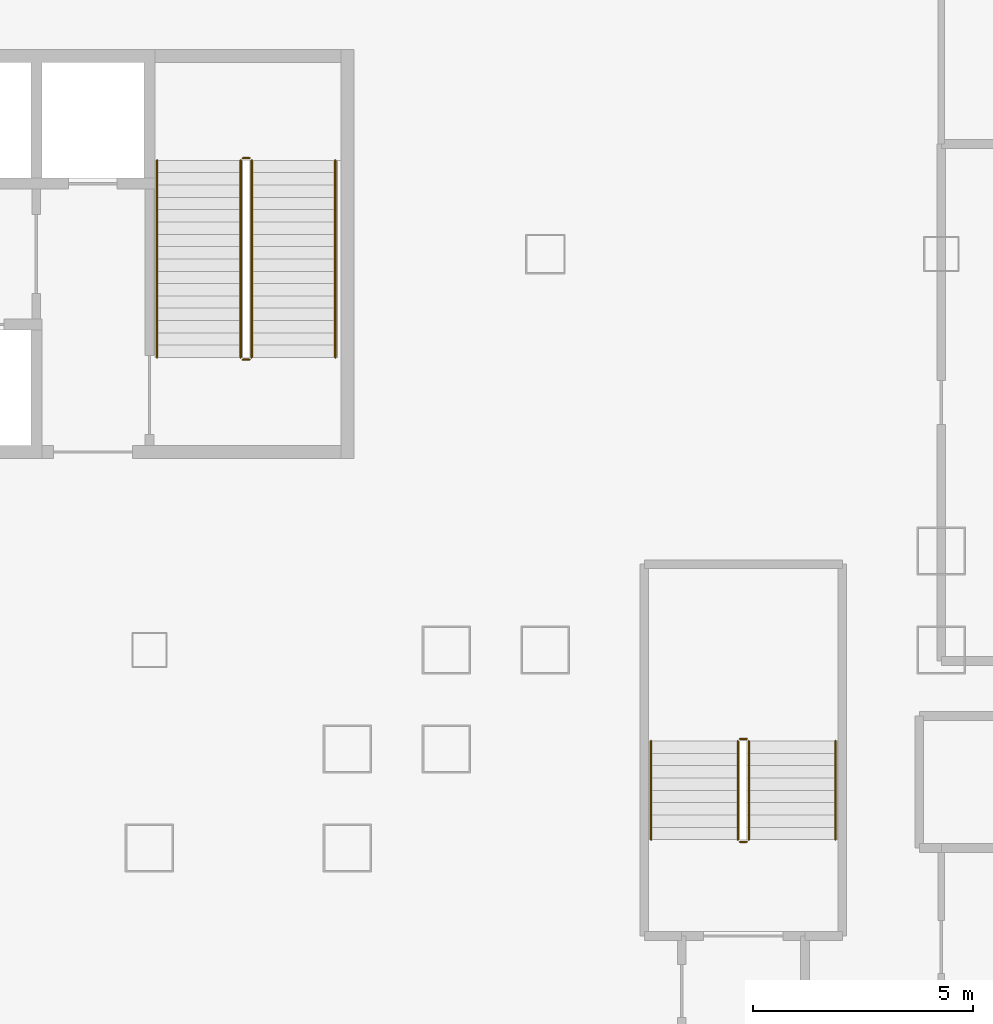
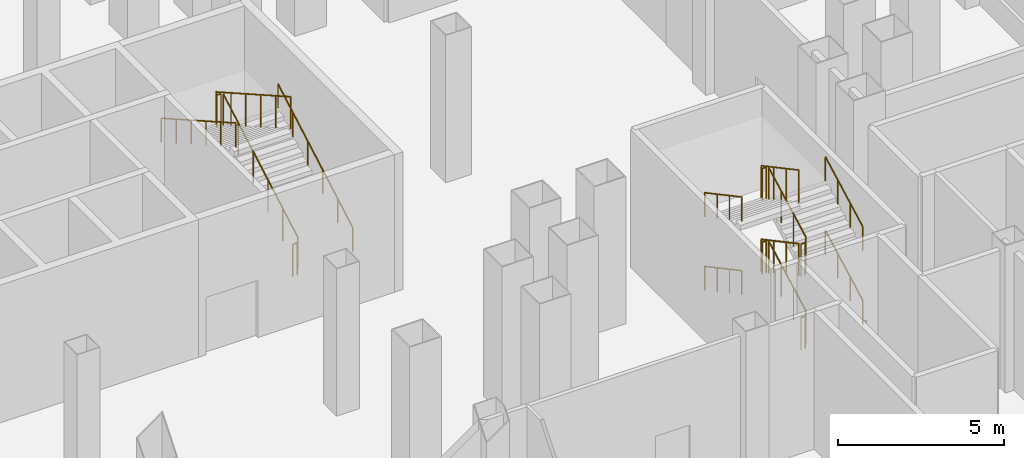
# One storey, part 23 of 26: 18 railings.
"""IFC4 building model written with IfcOpenShell, lengths in metres."""

from ifc_helpers import new_model, si_unit, direction, frame, origin, origin_2d, place, context, subcontext, project, spatial, circle, extrude, material, type_object, element, save


model = new_model("IFC4")

# Units and contexts
model_context = context("Model", 3, precision=1e-05, world=origin(), true_north=direction((0.0, 1.0)))
body_context = subcontext(model_context, "Body", "Model", "MODEL_VIEW")
ifc_project = project(units=[si_unit("LENGTHUNIT", "METRE"), si_unit("AREAUNIT", "SQUARE_METRE"), si_unit("VOLUMEUNIT", "CUBIC_METRE"), si_unit("PLANEANGLEUNIT", "RADIAN"), si_unit("MASSUNIT", "GRAM", prefix="KILO")], contexts=[model_context])

# Site, building, storey
site_placement = place(None, origin())
site = spatial("IfcSite", under=ifc_project, at=site_placement, CompositionType="ELEMENT")
building_placement = place(site_placement, origin())
building = spatial("IfcBuilding", under=site, at=building_placement, Name="Caravel Reach Hotel and Residences", CompositionType="ELEMENT")
storey_placement = place(building_placement, frame((0.0, 0.0, 12.0)))
storey = spatial("IfcBuildingStorey", under=building, at=storey_placement, Name="L02", CompositionType="ELEMENT", Elevation=12.0)

# Railings
ifc_material_1 = material(Name="Steel balustrade with glass infill", Category="steel")
railing_type_1 = type_object("IfcRailingType", Name="Guard 1200", PredefinedType="GUARDRAIL", material=ifc_material_1)
railing_1_placement = place(storey_placement, frame((42.824951171875, 24.64990234375, 0.158935546875)))
element("IfcRailing", 1, at=railing_1_placement, inside=storey, type_object=railing_type_1, Name="L02 ST-B stair guard 1", PredefinedType="GUARDRAIL", context=body_context, shape_type="SweptSolid", body=[
    extrude(circle(Radius=0.02392578125, at=origin_2d()), frame((0.0, 0.0, 1.17578125), z_axis=(0.0, 0.869825572089, 0.493359376256), x_axis=(-1.0, 0.0, 0.0)), (0.0, 0.0, 1.0), 5.150390625),
    extrude(circle(Radius=0.02099609375, at=origin_2d()), origin(), (0.0, 0.0, 1.0), 1.15185546875),
    extrude(circle(Radius=0.02099609375, at=origin_2d()), frame((0.0, 0.89599609375, 0.50830078125)), (0.0, 0.0, 1.0), 1.15185546875),
    extrude(circle(Radius=0.02099609375, at=origin_2d()), frame((0.0, 1.7919921875, 1.016357421875)), (0.0, 0.0, 1.0), 1.15185546875),
    extrude(circle(Radius=0.02099609375, at=origin_2d()), frame((0.0, 2.68798828125, 1.524658203125)), (0.0, 0.0, 1.0), 1.15185546875),
    extrude(circle(Radius=0.02099609375, at=origin_2d()), frame((0.0, 3.583984375, 2.03271484375)), (0.0, 0.0, 1.0), 1.15185546875),
    extrude(circle(Radius=0.02099609375, at=origin_2d()), frame((0.0, 4.47998046875, 2.541015625)), (0.0, 0.0, 1.0), 1.15185546875),
])
railing_2_placement = place(storey_placement, frame((42.77490234375, 29.179931640625, 2.699951171875)))
element("IfcRailing", 2, at=railing_2_placement, inside=storey, type_object=railing_type_1, Name="L02 ST-B stair guard 2", PredefinedType="GUARDRAIL", context=body_context, shape_type="SweptSolid", body=[
    extrude(circle(Radius=0.02392578125, at=origin_2d()), frame((0.0, 0.0, 1.17578125), z_axis=(-1.0, 0.0, 0.0), x_axis=(0.0, -1.0, 0.0)), (0.0, 0.0, 1.0), 0.14990234375),
    extrude(circle(Radius=0.02099609375, at=origin_2d()), origin(), (0.0, 0.0, 1.0), 1.15185546875),
    extrude(circle(Radius=0.02099609375, at=origin_2d()), frame((-0.14990234375, 0.0, 0.0)), (0.0, 0.0, 1.0), 1.15185546875),
])
railing_3_placement = place(storey_placement, frame((42.574951171875, 29.1298828125, 2.85888671875)))
element("IfcRailing", 3, at=railing_3_placement, inside=storey, type_object=railing_type_1, Name="L02 ST-B stair guard 3", PredefinedType="GUARDRAIL", context=body_context, shape_type="SweptSolid", body=[
    extrude(circle(Radius=0.02392578125, at=origin_2d()), frame((0.0, 0.0, 1.17578125), z_axis=(0.0, -0.869825572089, 0.493359376256), x_axis=(1.0, 0.0, 0.0)), (0.0, 0.0, 1.0), 5.150390625),
    extrude(circle(Radius=0.02099609375, at=origin_2d()), origin(), (0.0, 0.0, 1.0), 1.15185546875),
    extrude(circle(Radius=0.02099609375, at=origin_2d()), frame((0.0, -0.89599609375, 0.50830078125)), (0.0, 0.0, 1.0), 1.15185546875),
    extrude(circle(Radius=0.02099609375, at=origin_2d()), frame((0.0, -1.7919921875, 1.016357421875)), (0.0, 0.0, 1.0), 1.15185546875),
    extrude(circle(Radius=0.02099609375, at=origin_2d()), frame((0.0, -2.68798828125, 1.524658203125)), (0.0, 0.0, 1.0), 1.15185546875),
    extrude(circle(Radius=0.02099609375, at=origin_2d()), frame((0.0, -3.583984375, 2.03271484375)), (0.0, 0.0, 1.0), 1.15185546875),
    extrude(circle(Radius=0.02099609375, at=origin_2d()), frame((0.0, -4.47998046875, 2.541015625)), (0.0, 0.0, 1.0), 1.15185546875),
])
railing_4_placement = place(storey_placement, frame((42.77490234375, 24.60009765625, 0.0)))
element("IfcRailing", 4, at=railing_4_placement, inside=storey, type_object=railing_type_1, Name="L02 ST-B stair guard 4", PredefinedType="GUARDRAIL", context=body_context, shape_type="SweptSolid", body=[
    extrude(circle(Radius=0.02392578125, at=origin_2d()), frame((0.0, 0.0, 1.17578125), z_axis=(-1.0, 0.0, 0.0), x_axis=(0.0, -1.0, 0.0)), (0.0, 0.0, 1.0), 0.14990234375),
    extrude(circle(Radius=0.02099609375, at=origin_2d()), origin(), (0.0, 0.0, 1.0), 1.15185546875),
    extrude(circle(Radius=0.02099609375, at=origin_2d()), frame((-0.14990234375, 0.0, 0.0)), (0.0, 0.0, 1.0), 1.15185546875),
])
railing_5_placement = place(storey_placement, frame((54.125, 13.68994140625, 0.14990234375)))
element("IfcRailing", 5, at=railing_5_placement, inside=storey, type_object=railing_type_1, Name="L02 ST-P4 stair guard 1", PredefinedType="GUARDRAIL", context=body_context, shape_type="SweptSolid", body=[
    extrude(circle(Radius=0.02392578125, at=origin_2d()), frame((0.0, 0.0, 1.17578125), z_axis=(0.0, 0.881447119201, 0.472282728937), x_axis=(-1.0, 0.0, 0.0)), (0.0, 0.0, 1.0), 2.541259765625),
    extrude(circle(Radius=0.02099609375, at=origin_2d()), origin(), (0.0, 0.0, 1.0), 1.15185546875),
    extrude(circle(Radius=0.02099609375, at=origin_2d()), frame((0.0, 0.74658203125, 0.400146484375)), (0.0, 0.0, 1.0), 1.15185546875),
    extrude(circle(Radius=0.02099609375, at=origin_2d()), frame((0.0, 1.493408203125, 0.800048828125)), (0.0, 0.0, 1.0), 1.15185546875),
    extrude(circle(Radius=0.02099609375, at=origin_2d()), frame((0.0, 2.239990234375, 1.2001953125)), (0.0, 0.0, 1.0), 1.15185546875),
])
railing_6_placement = place(storey_placement, frame((54.074951171875, 15.97998046875, 1.35009765625)))
element("IfcRailing", 6, at=railing_6_placement, inside=storey, type_object=railing_type_1, Name="L02 ST-P4 stair guard 2", PredefinedType="GUARDRAIL", context=body_context, shape_type="SweptSolid", body=[
    extrude(circle(Radius=0.02392578125, at=origin_2d()), frame((0.0, 0.0, 1.17578125), z_axis=(-1.0, 0.0, 0.0), x_axis=(0.0, -1.0, 0.0)), (0.0, 0.0, 1.0), 0.14990234375),
    extrude(circle(Radius=0.02099609375, at=origin_2d()), origin(), (0.0, 0.0, 1.0), 1.15185546875),
    extrude(circle(Radius=0.02099609375, at=origin_2d()), frame((-0.14990234375, 0.0, 0.0)), (0.0, 0.0, 1.0), 1.15185546875),
])
railing_7_placement = place(storey_placement, frame((53.875, 15.929931640625, 1.5)))
element("IfcRailing", 7, at=railing_7_placement, inside=storey, type_object=railing_type_1, Name="L02 ST-P4 stair guard 3", PredefinedType="GUARDRAIL", context=body_context, shape_type="SweptSolid", body=[
    extrude(circle(Radius=0.02392578125, at=origin_2d()), frame((0.0, 0.0, 1.17578125), z_axis=(0.0, -0.881487111273, 0.472208081951), x_axis=(1.0, 0.0, 0.0)), (0.0, 0.0, 1.0), 2.541259765625),
    extrude(circle(Radius=0.02099609375, at=origin_2d()), origin(), (0.0, 0.0, 1.0), 1.15185546875),
    extrude(circle(Radius=0.02099609375, at=origin_2d()), frame((0.0, -0.74658203125, 0.39990234375)), (0.0, 0.0, 1.0), 1.15185546875),
    extrude(circle(Radius=0.02099609375, at=origin_2d()), frame((0.0, -1.493408203125, 0.800048828125)), (0.0, 0.0, 1.0), 1.15185546875),
    extrude(circle(Radius=0.02099609375, at=origin_2d()), frame((0.0, -2.239990234375, 1.199951171875)), (0.0, 0.0, 1.0), 1.15185546875),
])
railing_8_placement = place(storey_placement, frame((54.074951171875, 13.639892578125, 2.699951171875)))
element("IfcRailing", 8, at=railing_8_placement, inside=storey, type_object=railing_type_1, Name="L02 ST-P4 stair guard 4", PredefinedType="GUARDRAIL", context=body_context, shape_type="SweptSolid", body=[
    extrude(circle(Radius=0.02392578125, at=origin_2d()), frame((0.0, 0.0, 1.17578125), z_axis=(-1.0, 0.0, 0.0), x_axis=(0.0, -1.0, 0.0)), (0.0, 0.0, 1.0), 0.14990234375),
    extrude(circle(Radius=0.02099609375, at=origin_2d()), origin(), (0.0, 0.0, 1.0), 1.15185546875),
    extrude(circle(Radius=0.02099609375, at=origin_2d()), frame((-0.14990234375, 0.0, 0.0)), (0.0, 0.0, 1.0), 1.15185546875),
])
railing_9_placement = place(storey_placement, frame((54.125, 13.68994140625, 2.85009765625)))
element("IfcRailing", 9, at=railing_9_placement, inside=storey, type_object=railing_type_1, Name="L02 ST-P4 stair guard 5", PredefinedType="GUARDRAIL", context=body_context, shape_type="SweptSolid", body=[
    extrude(circle(Radius=0.02392578125, at=origin_2d()), frame((0.0, 0.0, 1.17578125), z_axis=(0.0, 0.881487111273, 0.472208081951), x_axis=(-1.0, 0.0, 0.0)), (0.0, 0.0, 1.0), 2.541259765625),
    extrude(circle(Radius=0.02099609375, at=origin_2d()), origin(), (0.0, 0.0, 1.0), 1.15185546875),
    extrude(circle(Radius=0.02099609375, at=origin_2d()), frame((0.0, 0.74658203125, 0.39990234375)), (0.0, 0.0, 1.0), 1.15185546875),
    extrude(circle(Radius=0.02099609375, at=origin_2d()), frame((0.0, 1.493408203125, 0.800048828125)), (0.0, 0.0, 1.0), 1.15185546875),
    extrude(circle(Radius=0.02099609375, at=origin_2d()), frame((0.0, 2.239990234375, 1.199951171875)), (0.0, 0.0, 1.0), 1.15185546875),
])
railing_10_placement = place(storey_placement, frame((54.074951171875, 15.97998046875, 4.050048828125)))
element("IfcRailing", 10, at=railing_10_placement, inside=storey, type_object=railing_type_1, Name="L02 ST-P4 stair guard 6", PredefinedType="GUARDRAIL", context=body_context, shape_type="SweptSolid", body=[
    extrude(circle(Radius=0.02392578125, at=origin_2d()), frame((0.0, 0.0, 1.17578125), z_axis=(-1.0, 0.0, 0.0), x_axis=(0.0, -1.0, 0.0)), (0.0, 0.0, 1.0), 0.14990234375),
    extrude(circle(Radius=0.02099609375, at=origin_2d()), origin(), (0.0, 0.0, 1.0), 1.15185546875),
    extrude(circle(Radius=0.02099609375, at=origin_2d()), frame((-0.14990234375, 0.0, 0.0)), (0.0, 0.0, 1.0), 1.15185546875),
])
railing_11_placement = place(storey_placement, frame((53.875, 15.929931640625, 4.199951171875)))
element("IfcRailing", 11, at=railing_11_placement, inside=storey, type_object=railing_type_1, Name="L02 ST-P4 stair guard 7", PredefinedType="GUARDRAIL", context=body_context, shape_type="SweptSolid", body=[
    extrude(circle(Radius=0.02392578125, at=origin_2d()), frame((0.0, 0.0, 1.17578125), z_axis=(0.0, -0.881487111273, 0.472208081951), x_axis=(1.0, 0.0, 0.0)), (0.0, 0.0, 1.0), 2.541259765625),
    extrude(circle(Radius=0.02099609375, at=origin_2d()), origin(), (0.0, 0.0, 1.0), 1.15185546875),
    extrude(circle(Radius=0.02099609375, at=origin_2d()), frame((0.0, -0.74658203125, 0.39990234375)), (0.0, 0.0, 1.0), 1.15185546875),
    extrude(circle(Radius=0.02099609375, at=origin_2d()), frame((0.0, -1.493408203125, 0.800048828125)), (0.0, 0.0, 1.0), 1.15185546875),
    extrude(circle(Radius=0.02099609375, at=origin_2d()), frame((0.0, -2.239990234375, 1.199951171875)), (0.0, 0.0, 1.0), 1.15185546875),
])
railing_12_placement = place(storey_placement, frame((54.074951171875, 13.639892578125, 0.0)))
element("IfcRailing", 12, at=railing_12_placement, inside=storey, type_object=railing_type_1, Name="L02 ST-P4 stair guard 8", PredefinedType="GUARDRAIL", context=body_context, shape_type="SweptSolid", body=[
    extrude(circle(Radius=0.02392578125, at=origin_2d()), frame((0.0, 0.0, 1.17578125), z_axis=(-1.0, 0.0, 0.0), x_axis=(0.0, -1.0, 0.0)), (0.0, 0.0, 1.0), 0.14990234375),
    extrude(circle(Radius=0.02099609375, at=origin_2d()), origin(), (0.0, 0.0, 1.0), 1.15185546875),
    extrude(circle(Radius=0.02099609375, at=origin_2d()), frame((-0.14990234375, 0.0, 0.0)), (0.0, 0.0, 1.0), 1.15185546875),
])
ifc_material_2 = material(Name="Stainless steel handrail", Category="steel")
railing_type_2 = type_object("IfcRailingType", Name="Handrail 900", PredefinedType="HANDRAIL", material=ifc_material_2)
railing_13_placement = place(storey_placement, frame((44.72509765625, 24.64990234375, 0.158935546875)))
element("IfcRailing", 13, at=railing_13_placement, inside=storey, type_object=railing_type_2, Name="L02 ST-B stair handrail 1", PredefinedType="HANDRAIL", context=body_context, shape_type="SweptSolid", body=[
    extrude(circle(Radius=0.02392578125, at=origin_2d()), frame((0.0, 0.0, 0.8759765625), z_axis=(0.0, 0.869825572089, 0.493359376256), x_axis=(-1.0, 0.0, 0.0)), (0.0, 0.0, 1.0), 5.150390625),
    extrude(circle(Radius=0.02099609375, at=origin_2d()), origin(), (0.0, 0.0, 1.0), 0.851806640625),
    extrude(circle(Radius=0.02099609375, at=origin_2d()), frame((0.0, 0.89599609375, 0.50830078125)), (0.0, 0.0, 1.0), 0.851806640625),
    extrude(circle(Radius=0.02099609375, at=origin_2d()), frame((0.0, 1.7919921875, 1.016357421875)), (0.0, 0.0, 1.0), 0.851806640625),
    extrude(circle(Radius=0.02099609375, at=origin_2d()), frame((0.0, 2.68798828125, 1.524658203125)), (0.0, 0.0, 1.0), 0.851806640625),
    extrude(circle(Radius=0.02099609375, at=origin_2d()), frame((0.0, 3.583984375, 2.03271484375)), (0.0, 0.0, 1.0), 0.851806640625),
    extrude(circle(Radius=0.02099609375, at=origin_2d()), frame((0.0, 4.47998046875, 2.541015625)), (0.0, 0.0, 1.0), 0.851806640625),
])
railing_14_placement = place(storey_placement, frame((40.675048828125, 29.1298828125, 2.85888671875)))
element("IfcRailing", 14, at=railing_14_placement, inside=storey, type_object=railing_type_2, Name="L02 ST-B stair handrail 2", PredefinedType="HANDRAIL", context=body_context, shape_type="SweptSolid", body=[
    extrude(circle(Radius=0.02392578125, at=origin_2d()), frame((0.0, 0.0, 0.8759765625), z_axis=(0.0, -0.869825572089, 0.493359376256), x_axis=(1.0, 0.0, 0.0)), (0.0, 0.0, 1.0), 5.150390625),
    extrude(circle(Radius=0.02099609375, at=origin_2d()), origin(), (0.0, 0.0, 1.0), 0.851806640625),
    extrude(circle(Radius=0.02099609375, at=origin_2d()), frame((0.0, -0.89599609375, 0.50830078125)), (0.0, 0.0, 1.0), 0.851806640625),
    extrude(circle(Radius=0.02099609375, at=origin_2d()), frame((0.0, -1.7919921875, 1.016357421875)), (0.0, 0.0, 1.0), 0.851806640625),
    extrude(circle(Radius=0.02099609375, at=origin_2d()), frame((0.0, -2.68798828125, 1.524658203125)), (0.0, 0.0, 1.0), 0.851806640625),
    extrude(circle(Radius=0.02099609375, at=origin_2d()), frame((0.0, -3.583984375, 2.03271484375)), (0.0, 0.0, 1.0), 0.851806640625),
    extrude(circle(Radius=0.02099609375, at=origin_2d()), frame((0.0, -4.47998046875, 2.541015625)), (0.0, 0.0, 1.0), 0.851806640625),
])
railing_15_placement = place(storey_placement, frame((56.094970703125, 13.68994140625, 0.14990234375)))
element("IfcRailing", 15, at=railing_15_placement, inside=storey, type_object=railing_type_2, Name="L02 ST-P4 stair handrail 1", PredefinedType="HANDRAIL", context=body_context, shape_type="SweptSolid", body=[
    extrude(circle(Radius=0.02392578125, at=origin_2d()), frame((0.0, 0.0, 0.8759765625), z_axis=(0.0, 0.881447119201, 0.472282728937), x_axis=(-1.0, 0.0, 0.0)), (0.0, 0.0, 1.0), 2.541259765625),
    extrude(circle(Radius=0.02099609375, at=origin_2d()), origin(), (0.0, 0.0, 1.0), 0.851806640625),
    extrude(circle(Radius=0.02099609375, at=origin_2d()), frame((0.0, 0.74658203125, 0.400146484375)), (0.0, 0.0, 1.0), 0.851806640625),
    extrude(circle(Radius=0.02099609375, at=origin_2d()), frame((0.0, 1.493408203125, 0.800048828125)), (0.0, 0.0, 1.0), 0.851806640625),
    extrude(circle(Radius=0.02099609375, at=origin_2d()), frame((0.0, 2.239990234375, 1.2001953125)), (0.0, 0.0, 1.0), 0.851806640625),
])
railing_16_placement = place(storey_placement, frame((51.905029296875, 15.929931640625, 1.5)))
element("IfcRailing", 16, at=railing_16_placement, inside=storey, type_object=railing_type_2, Name="L02 ST-P4 stair handrail 2", PredefinedType="HANDRAIL", context=body_context, shape_type="SweptSolid", body=[
    extrude(circle(Radius=0.02392578125, at=origin_2d()), frame((0.0, 0.0, 0.8759765625), z_axis=(0.0, -0.881487111273, 0.472208081951), x_axis=(1.0, 0.0, 0.0)), (0.0, 0.0, 1.0), 2.541259765625),
    extrude(circle(Radius=0.02099609375, at=origin_2d()), origin(), (0.0, 0.0, 1.0), 0.851806640625),
    extrude(circle(Radius=0.02099609375, at=origin_2d()), frame((0.0, -0.74658203125, 0.39990234375)), (0.0, 0.0, 1.0), 0.851806640625),
    extrude(circle(Radius=0.02099609375, at=origin_2d()), frame((0.0, -1.493408203125, 0.800048828125)), (0.0, 0.0, 1.0), 0.851806640625),
    extrude(circle(Radius=0.02099609375, at=origin_2d()), frame((0.0, -2.239990234375, 1.199951171875)), (0.0, 0.0, 1.0), 0.851806640625),
])
railing_17_placement = place(storey_placement, frame((56.094970703125, 13.68994140625, 2.85009765625)))
element("IfcRailing", 17, at=railing_17_placement, inside=storey, type_object=railing_type_2, Name="L02 ST-P4 stair handrail 3", PredefinedType="HANDRAIL", context=body_context, shape_type="SweptSolid", body=[
    extrude(circle(Radius=0.02392578125, at=origin_2d()), frame((0.0, 0.0, 0.8759765625), z_axis=(0.0, 0.881487111273, 0.472208081951), x_axis=(-1.0, 0.0, 0.0)), (0.0, 0.0, 1.0), 2.541259765625),
    extrude(circle(Radius=0.02099609375, at=origin_2d()), origin(), (0.0, 0.0, 1.0), 0.851806640625),
    extrude(circle(Radius=0.02099609375, at=origin_2d()), frame((0.0, 0.74658203125, 0.39990234375)), (0.0, 0.0, 1.0), 0.851806640625),
    extrude(circle(Radius=0.02099609375, at=origin_2d()), frame((0.0, 1.493408203125, 0.800048828125)), (0.0, 0.0, 1.0), 0.851806640625),
    extrude(circle(Radius=0.02099609375, at=origin_2d()), frame((0.0, 2.239990234375, 1.199951171875)), (0.0, 0.0, 1.0), 0.851806640625),
])
railing_18_placement = place(storey_placement, frame((51.905029296875, 15.929931640625, 4.199951171875)))
element("IfcRailing", 18, at=railing_18_placement, inside=storey, type_object=railing_type_2, Name="L02 ST-P4 stair handrail 4", PredefinedType="HANDRAIL", context=body_context, shape_type="SweptSolid", body=[
    extrude(circle(Radius=0.02392578125, at=origin_2d()), frame((0.0, 0.0, 0.8759765625), z_axis=(0.0, -0.881487111273, 0.472208081951), x_axis=(1.0, 0.0, 0.0)), (0.0, 0.0, 1.0), 2.541259765625),
    extrude(circle(Radius=0.02099609375, at=origin_2d()), origin(), (0.0, 0.0, 1.0), 0.851806640625),
    extrude(circle(Radius=0.02099609375, at=origin_2d()), frame((0.0, -0.74658203125, 0.39990234375)), (0.0, 0.0, 1.0), 0.851806640625),
    extrude(circle(Radius=0.02099609375, at=origin_2d()), frame((0.0, -1.493408203125, 0.800048828125)), (0.0, 0.0, 1.0), 0.851806640625),
    extrude(circle(Radius=0.02099609375, at=origin_2d()), frame((0.0, -2.239990234375, 1.199951171875)), (0.0, 0.0, 1.0), 0.851806640625),
])

save(model, "model.ifc")
